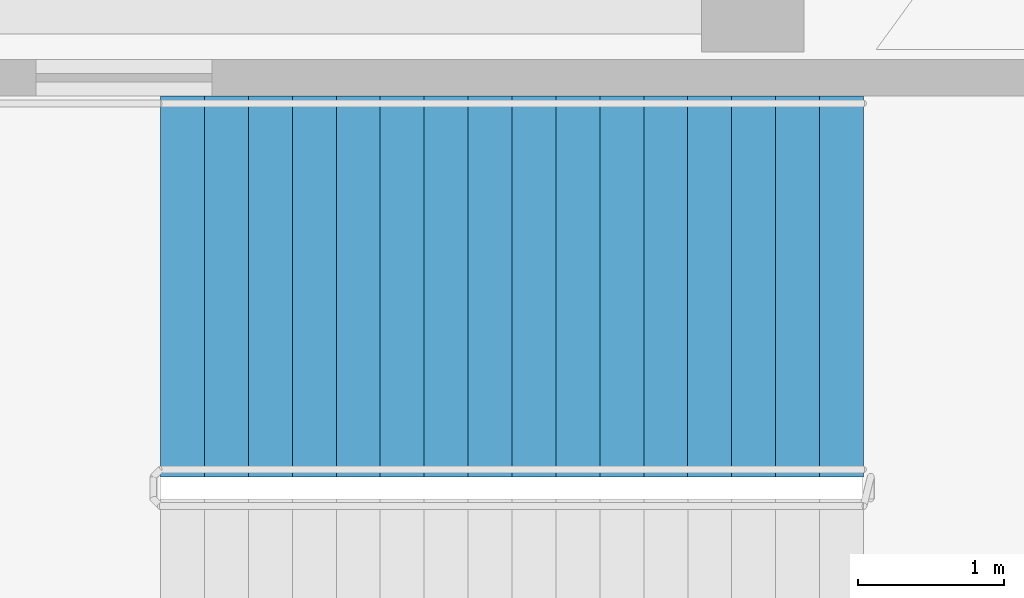
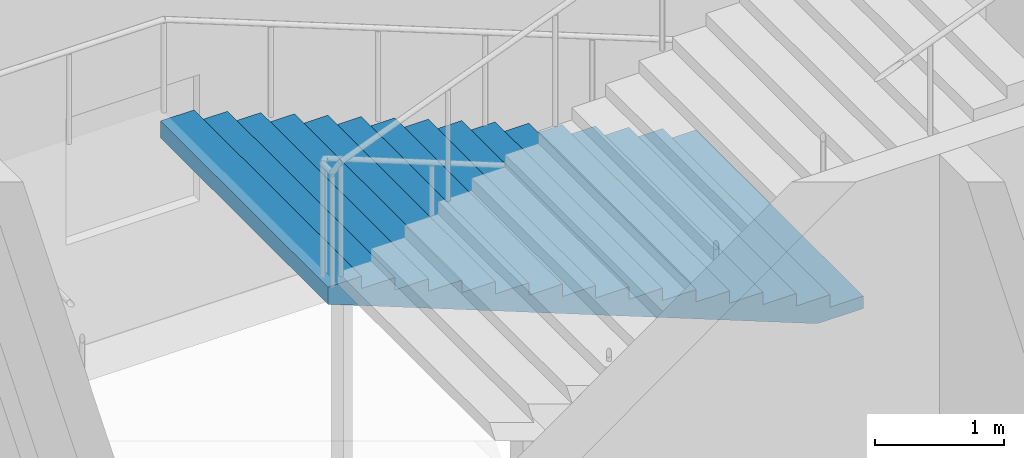
# One storey, part 12 of 14: 1 stair flight, 1 element without a shape of its own.
"""IFC4 building model written with IfcOpenShell, lengths in metres."""

from ifc_helpers import new_model, si_unit, direction, frame, origin, place, context, subcontext, project, spatial, polyline, outline, extrude, material, type_object, element, aggregate, save


model = new_model("IFC4")

# Units and contexts
model_context = context("Model", 3, precision=1e-05, world=origin(), true_north=direction((0.0, 1.0)))
body_context = subcontext(model_context, "Body", "Model", "MODEL_VIEW")
ifc_project = project(units=[si_unit("LENGTHUNIT", "METRE"), si_unit("AREAUNIT", "SQUARE_METRE"), si_unit("VOLUMEUNIT", "CUBIC_METRE"), si_unit("PLANEANGLEUNIT", "RADIAN"), si_unit("MASSUNIT", "GRAM", prefix="KILO")], contexts=[model_context])

# Site, building, storey
site_placement = place(None, origin())
site = spatial("IfcSite", under=ifc_project, at=site_placement, CompositionType="ELEMENT")
building_placement = place(site_placement, origin())
building = spatial("IfcBuilding", under=site, at=building_placement, Name="Quipu Civic Tower", CompositionType="ELEMENT")
storey_placement = place(building_placement, frame((0.0, 0.0, 335.0)))
storey = spatial("IfcBuildingStorey", under=building, at=storey_placement, Name="L78", CompositionType="ELEMENT", Elevation=335.0)

# Stair, stair flight
ifc_material_1 = material(Name="Concrete C40/50", Category="concrete")
stair_type = type_object("IfcStairType", Name="Half turn stair 2600", PredefinedType="HALF_TURN_STAIR", material=ifc_material_1)
stair_placement = place(storey_placement, origin())
stair = element("IfcStair", 1, at=stair_placement, inside=storey, type_object=stair_type, Name="Exit stair 4", PredefinedType="HALF_TURN_STAIR")
ifc_material_2 = material(Name="Concrete C40/50", Category="concrete")
stair_flight_type = type_object("IfcStairFlightType", Name="Stair flight 2600", PredefinedType="STRAIGHT", material=ifc_material_2)
stair_flight_placement = place(storey_placement, frame((15.14990234375, 8.550048828125, 0.0), z_axis=(0.0, 0.0, 1.0), x_axis=(-1.0, 0.0, 0.0)))
stair_flight = element("IfcStairFlight", 2, at=stair_flight_placement, type_object=stair_flight_type, Name="ST-4 flight 1", NumberOfRisers=17, NumberOfTreads=16, PredefinedType="STRAIGHT", RiserHeight=0.117647059, TreadLength=0.3, context=body_context, shape_type="SweptSolid", body=[
    extrude(outline(polyline([(0.0, 0.0), (0.0, 0.11767578125), (0.300048828125, 0.11767578125), (0.300048828125, 0.2353515625), (0.60009765625, 0.2353515625), (0.60009765625, 0.35302734375), (0.89990234375, 0.35302734375), (0.89990234375, 0.470703125), (1.199951171875, 0.470703125), (1.199951171875, 0.588134765625), (1.5, 0.588134765625), (1.5, 0.705810546875), (1.800048828125, 0.705810546875), (1.800048828125, 0.823486328125), (2.10009765625, 0.823486328125), (2.10009765625, 0.941162109375), (2.39990234375, 0.941162109375), (2.39990234375, 1.058837890625), (2.699951171875, 1.058837890625), (2.699951171875, 1.176513671875), (3.0, 1.176513671875), (3.0, 1.294189453125), (3.300048828125, 1.294189453125), (3.300048828125, 1.411865234375), (3.60009765625, 1.411865234375), (3.60009765625, 1.529296875), (3.89990234375, 1.529296875), (3.89990234375, 1.64697265625), (4.199951171875, 1.64697265625), (4.199951171875, 1.7646484375), (4.5, 1.7646484375), (4.5, 1.88232421875), (4.800048828125, 1.88232421875), (4.800048828125, 2.0), (4.800048828125, 1.721435546875), (0.41064453125, 0.0), (0.0, 0.0)])), frame((0.0, 1.300048828125, 0.0), z_axis=(0.0, -1.0, 0.0), x_axis=(1.0, 0.0, 0.0)), (0.0, 0.0, 1.0), 2.60009765625),
])
aggregate(stair, [stair_flight])

save(model, "model.ifc")
